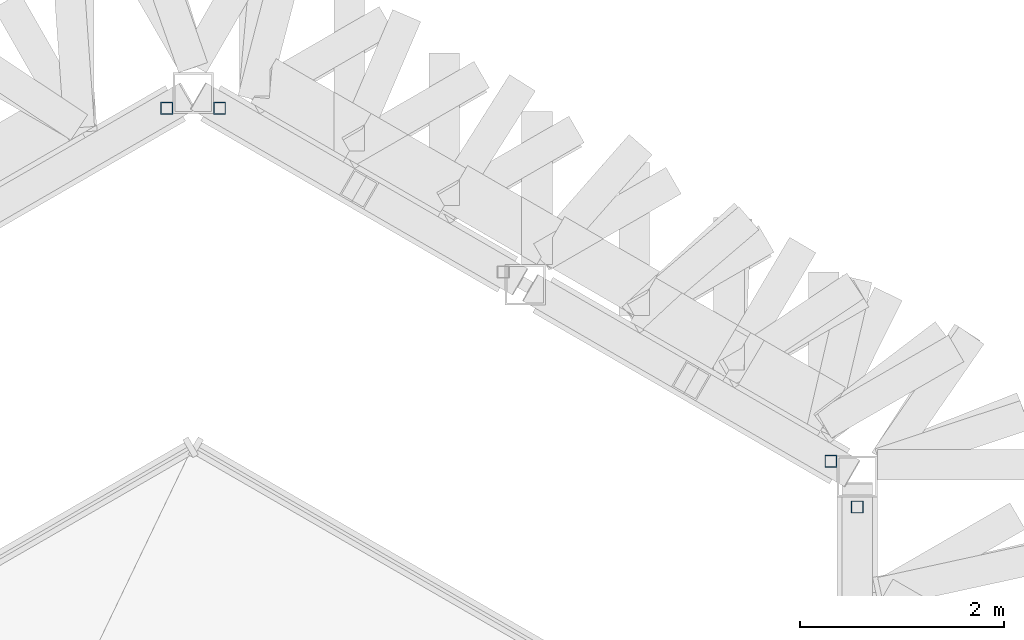
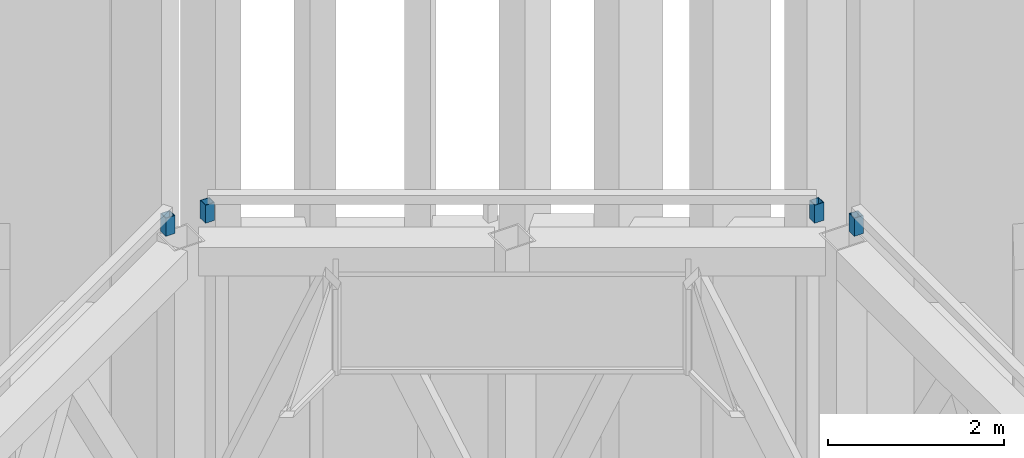
# One storey, part 25 of 45: 4 members.
"""IFC4 building model written with IfcOpenShell, lengths in metres."""

from ifc_helpers import new_model, si_unit, direction, frame, origin, origin_2d, place, context, subcontext, project, spatial, hollow_rectangle, extrude, material, material_profile, profile_set, type_object, element, save


model = new_model("IFC4")

# Units and contexts
model_context = context("Model", 3, precision=1e-05, world=origin(), true_north=direction((0.0, 1.0)))
body_context = subcontext(model_context, "Body", "Model", "MODEL_VIEW")
ifc_project = project(units=[si_unit("LENGTHUNIT", "METRE"), si_unit("AREAUNIT", "SQUARE_METRE"), si_unit("VOLUMEUNIT", "CUBIC_METRE"), si_unit("PLANEANGLEUNIT", "RADIAN"), si_unit("MASSUNIT", "GRAM", prefix="KILO")], contexts=[model_context])

# Site, building, storey
site_placement = place(None, origin())
site = spatial("IfcSite", under=ifc_project, at=site_placement, CompositionType="ELEMENT")
building_placement = place(site_placement, origin())
building = spatial("IfcBuilding", under=site, at=building_placement, Name="Jabali Bay Hotel Tower and Convention Centre", CompositionType="ELEMENT")
storey_placement = place(building_placement, frame((0.0, 0.0, 322.39990234375)))
storey = spatial("IfcBuildingStorey", under=building, at=storey_placement, Name="Crown", CompositionType="ELEMENT", Elevation=322.39990234375)

# Members
ifc_material = material(Name="Steel Q355B", Category="steel")
ifc_material_profile = material_profile(ifc_material, hollow_rectangle(XDim=0.1201171875, YDim=0.1201171875, WallThickness=0.008056640625, at=origin_2d()), Name="BMU rail post")
ifc_profile_set = profile_set([ifc_material_profile], Name="Steel Q355B")
member_type = type_object("IfcMemberType", Name="BMU rail post", PredefinedType="USERDEFINED", material=ifc_profile_set)
for number, where, z_axis, x_axis, name in (
    (1, (93.148681640625, 103.60205078125, 28.35009765625), (0.0, 0.0, 1.0), (1.0, 0.0, 0.0), "BMU rail post 1.9"),
    (2, (92.888916015625, 104.052001953125, 28.35009765625), (0.0, 0.0, 1.0), (1.0, 0.0, 0.0), "BMU rail post 2.1"),
    (3, (86.88525390625, 107.518310546875, 28.35009765625), (0.0, 0.0, 1.0), (1.0, 0.0, 0.0), "BMU rail post 2.3"),
    (4, (86.365478515625, 107.518310546875, 28.35009765625), (0.0, 0.0, 1.0), (1.0, 0.0, 0.0), "BMU rail post 3.1"),
):
    element("IfcMember", number, at=place(storey_placement, frame(where, z_axis=z_axis, x_axis=x_axis)), inside=storey, type_object=member_type, Name=name, ObjectType="BMU RAIL", PredefinedType="USERDEFINED", context=body_context, shape_type="SweptSolid", body=[
        extrude(hollow_rectangle(XDim=0.1201171875, YDim=0.1201171875, WallThickness=0.008056640625, at=origin_2d()), origin(), (0.0, 0.0, 1.0), 0.25),
    ])

save(model, "model.ifc")
